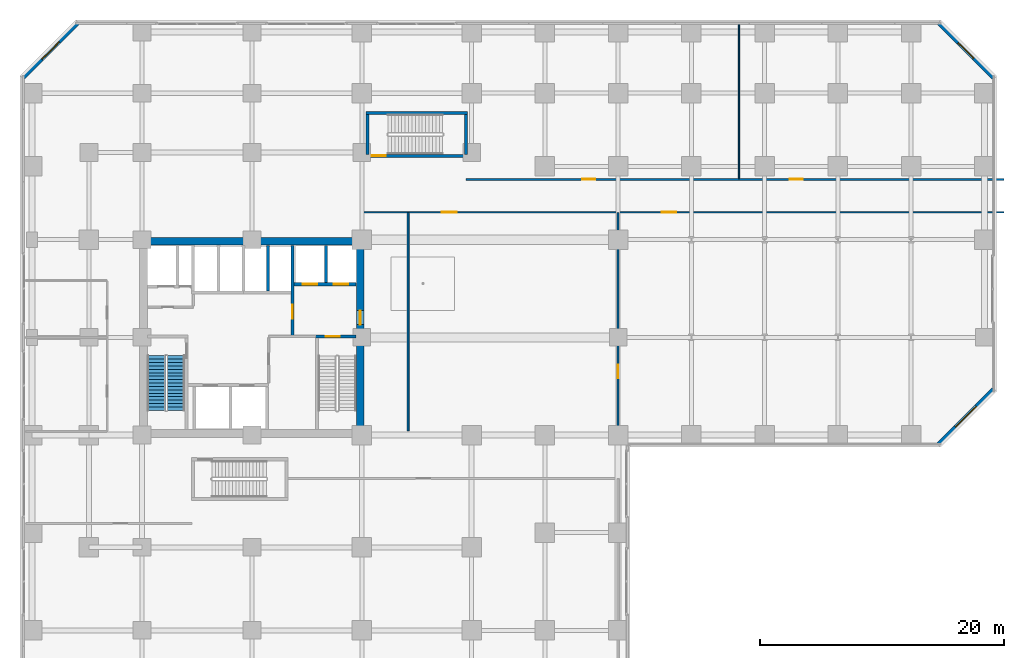
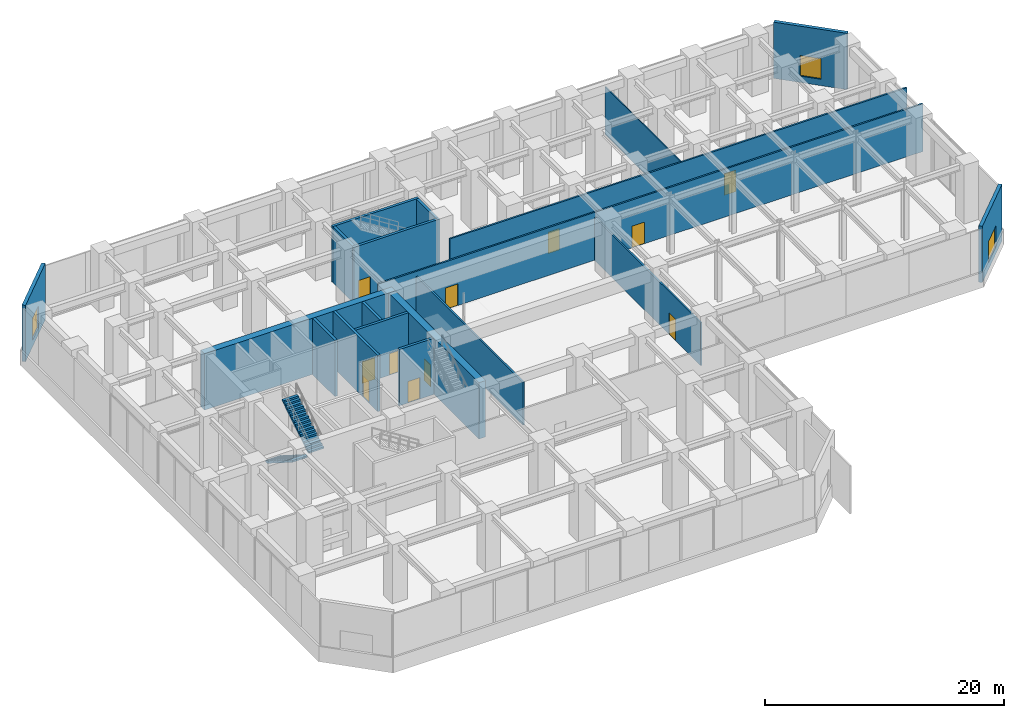
# One storey, part 25 of 34: 19 walls, 11 doors, 3 windows, 2 stair flights, 14 openings, 1 element without a shape of its own.
"""IFC4 building model written with IfcOpenShell, lengths in metres."""

from ifc_helpers import new_model, si_unit, direction, frame, frame_2d, origin, place, context, subcontext, project, spatial, polyline, rectangle, outline, extrude, source, transform, mapped, material, layer, layer_set, type_object, element, fill, aggregate, save


model = new_model("IFC4")

# Units and contexts
model_context = context("Model", 3, precision=1e-05, world=origin(), true_north=direction((0.0, 1.0)))
body_context = subcontext(model_context, "Body", "Model", "MODEL_VIEW")
ifc_project = project(units=[si_unit("LENGTHUNIT", "METRE"), si_unit("AREAUNIT", "SQUARE_METRE"), si_unit("VOLUMEUNIT", "CUBIC_METRE"), si_unit("PLANEANGLEUNIT", "RADIAN"), si_unit("MASSUNIT", "GRAM", prefix="KILO")], contexts=[model_context])

# Site, building, storey
site_placement = place(None, origin())
site = spatial("IfcSite", under=ifc_project, at=site_placement, CompositionType="ELEMENT")
building_placement = place(site_placement, origin())
building = spatial("IfcBuilding", under=site, at=building_placement, Name="Torre Montelarca", CompositionType="ELEMENT")
storey_placement = place(building_placement, frame((0.0, 0.0, 6.0)))
storey = spatial("IfcBuildingStorey", under=building, at=storey_placement, Name="L02", CompositionType="ELEMENT", Elevation=6.0)

# Wall, opening, door
ifc_material_1 = material(Name="Concrete C40/50", Category="concrete")
ifc_layer_1 = layer(ifc_material_1, 0.25, Name="Concrete C40/50", Category="concrete")
ifc_layer_set_1 = layer_set([ifc_layer_1], Name="Concrete C40/50")
wall_type_1 = type_object("IfcWallType", Name="CW-SHAFT-250", PredefinedType="SHEAR", material=ifc_layer_set_1)
wall_1_placement = place(storey_placement, frame((23.18994140625, 32.074951171875, 0.0), z_axis=(0.0, 0.0, 1.0), x_axis=(1.0, 0.0, 0.0)))
wall_1 = element("IfcWall", 1, at=wall_1_placement, inside=storey, type_object=wall_type_1, Name="L02 Core Shear Wall SH-ST2-N", PredefinedType="SHEAR", context=body_context, shape_type="SweptSolid", body=[
    extrude(rectangle(XDim=3.35009765625, YDim=0.25, at=frame_2d((1.675048828125, 0.0))), origin(), (0.0, 0.0, 1.0), 5.739990234375),
])
opening_1_placement = place(wall_1_placement, frame((0.85009765625, 0.0, 0.0)))
opening_1 = element("IfcOpeningElement", 2, at=opening_1_placement, cuts=wall_1, Name="Opening FD-ST1", PredefinedType="OPENING", context=body_context, shape_type="SweptSolid", body=[
    extrude(rectangle(XDim=1.14990234375, YDim=2.199951171875, at=frame_2d((0.574951171875, 1.10009765625))), frame((0.0, 0.135009765625, 0.0), z_axis=(0.0, -1.0, 0.0), x_axis=(1.0, 0.0, 0.0)), (0.0, 0.0, 1.0), 0.27001953125),
])
ifc_material_2 = material(Name="Galvanized steel fire door", Category="steel")
door_type_1 = type_object("IfcDoorType", Name="DR-STAIR-115", OperationType="NOTDEFINED", PredefinedType="DOOR", material=ifc_material_2)
shared_shape_1 = source(origin(), body_context, "Body", "SweptSolid", [
    extrude(rectangle(XDim=1.14990234375, YDim=2.199951171875, at=frame_2d((0.574951171875, 1.10009765625))), frame((0.0, 0.02490234375, 0.0), z_axis=(0.0, -1.0, 0.0), x_axis=(1.0, 0.0, 0.0)), (0.0, 0.0, 1.0), 0.050048828125),
])
door_1_placement = place(opening_1_placement, origin())
door_1 = element("IfcDoor", 3, at=door_1_placement, inside=storey, type_object=door_type_1, Name="L02 Exit Stair ST2 Fire Door", OperationType="SINGLE_SWING_RIGHT", OverallHeight=2.199951171875, OverallWidth=1.14990234375, PredefinedType="DOOR", context=body_context, shape_type="MappedRepresentation", body=[
    mapped(shared_shape_1, transform((0.0, 0.0, 0.0), scale=1.0)),
])
fill(opening_1, door_1)

wall_2_placement = place(storey_placement, frame((21.320068359375, 32.1201171875, 0.0), z_axis=(0.0, 0.0, 1.0), x_axis=(0.0, 1.0, 0.0)))
wall_2 = element("IfcWall", 4, at=wall_2_placement, inside=storey, type_object=wall_type_1, Name="L02 Core Shear Wall SH-FFL-W", PredefinedType="SHEAR", context=body_context, shape_type="SweptSolid", body=[
    extrude(rectangle(XDim=7.419921875, YDim=0.25, at=frame_2d((3.7099609375, 0.0))), origin(), (0.0, 0.0, 1.0), 5.739990234375),
])
opening_2_placement = place(wall_2_placement, frame((1.39990234375, 0.0, 0.0)))
opening_2 = element("IfcOpeningElement", 5, at=opening_2_placement, cuts=wall_2, Name="Opening FD-LB1", PredefinedType="OPENING", context=body_context, shape_type="SweptSolid", body=[
    extrude(rectangle(XDim=1.14990234375, YDim=2.199951171875, at=frame_2d((0.574951171875, 1.10009765625))), frame((0.0, 0.135009765625, 0.0), z_axis=(0.0, -1.0, 0.0), x_axis=(1.0, 0.0, 0.0)), (0.0, 0.0, 1.0), 0.27001953125),
])
ifc_material_3 = material(Name="Acoustic timber-veneered fire door", Category="wood")
door_type_2 = type_object("IfcDoorType", Name="DR-LOBBY-115", OperationType="NOTDEFINED", PredefinedType="DOOR", material=ifc_material_3)
shared_shape_2 = source(origin(), body_context, "Body", "SweptSolid", [
    extrude(rectangle(XDim=1.14990234375, YDim=2.199951171875, at=frame_2d((0.574951171875, 1.10009765625))), frame((0.0, 0.02490234375, 0.0), z_axis=(0.0, -1.0, 0.0), x_axis=(1.0, 0.0, 0.0)), (0.0, 0.0, 1.0), 0.050048828125),
])
door_2_placement = place(opening_2_placement, origin())
door_2 = element("IfcDoor", 6, at=door_2_placement, inside=storey, type_object=door_type_2, Name="L02 Lift Lobby to Firefighting Lobby Smoke Door", OperationType="SINGLE_SWING_LEFT", OverallHeight=2.199951171875, OverallWidth=1.14990234375, PredefinedType="DOOR", context=body_context, shape_type="MappedRepresentation", body=[
    mapped(shared_shape_2, transform((0.0, 0.0, 0.0), scale=1.0)),
])
fill(opening_2, door_2)

# Wall, openings, doors
wall_3_placement = place(storey_placement, frame((21.449951171875, 36.35009765625, 0.0), z_axis=(0.0, 0.0, 1.0), x_axis=(1.0, 0.0, 0.0)))
wall_3 = element("IfcWall", 7, at=wall_3_placement, inside=storey, type_object=wall_type_1, Name="L02 Core Shear Wall SH-FF-S", PredefinedType="SHEAR", context=body_context, shape_type="SweptSolid", body=[
    extrude(rectangle(XDim=5.090087890625, YDim=0.25, at=frame_2d((2.544921875, 0.0))), origin(), (0.0, 0.0, 1.0), 5.739990234375),
])
opening_3_placement = place(wall_3_placement, frame((0.699951171875, 0.0, 0.0)))
opening_3 = element("IfcOpeningElement", 8, at=opening_3_placement, cuts=wall_3, Name="Opening LD-120", PredefinedType="OPENING", context=body_context, shape_type="SweptSolid", body=[
    extrude(rectangle(XDim=1.199951171875, YDim=2.199951171875, at=frame_2d((0.60009765625, 1.10009765625))), frame((0.0, 0.135009765625, 0.0), z_axis=(0.0, -1.0, 0.0), x_axis=(1.0, 0.0, 0.0)), (0.0, 0.0, 1.0), 0.27001953125),
])
opening_4_placement = place(wall_3_placement, frame((3.25, 0.0, 0.0)))
opening_4 = element("IfcOpeningElement", 9, at=opening_4_placement, cuts=wall_3, Name="Opening LD-120", PredefinedType="OPENING", context=body_context, shape_type="SweptSolid", body=[
    extrude(rectangle(XDim=1.199951171875, YDim=2.199951171875, at=frame_2d((0.60009765625, 1.10009765625))), frame((0.0, 0.135009765625, 0.0), z_axis=(0.0, -1.0, 0.0), x_axis=(1.0, 0.0, 0.0)), (0.0, 0.0, 1.0), 0.27001953125),
])
ifc_material_4 = material(Name="Brushed stainless steel AISI 316", Category="steel")
door_type_3 = type_object("IfcDoorType", Name="DR-LIFT-120", OperationType="SLIDING_TO_RIGHT", PredefinedType="DOOR", material=ifc_material_4)
shared_shape_3 = source(origin(), body_context, "Body", "SweptSolid", [
    extrude(rectangle(XDim=1.199951171875, YDim=2.199951171875, at=frame_2d((0.60009765625, 1.10009765625))), frame((0.0, 0.02490234375, 0.0), z_axis=(0.0, -1.0, 0.0), x_axis=(1.0, 0.0, 0.0)), (0.0, 0.0, 1.0), 0.050048828125),
])
door_3_placement = place(opening_3_placement, origin())
door_3 = element("IfcDoor", 10, at=door_3_placement, inside=storey, type_object=door_type_3, Name="L02 Lift Landing Sliding Door FF-1", OperationType="SLIDING_TO_LEFT", OverallHeight=2.199951171875, OverallWidth=1.199951171875, PredefinedType="DOOR", context=body_context, shape_type="MappedRepresentation", body=[
    mapped(shared_shape_3, transform((0.0, 0.0, 0.0), scale=1.0)),
])
fill(opening_3, door_3)
door_4_placement = place(opening_4_placement, origin())
door_4 = element("IfcDoor", 11, at=door_4_placement, inside=storey, type_object=door_type_3, Name="L02 Lift Landing Sliding Door FF-2", OperationType="SLIDING_TO_RIGHT", OverallHeight=2.199951171875, OverallWidth=1.199951171875, PredefinedType="DOOR", context=body_context, shape_type="MappedRepresentation", body=[
    mapped(shared_shape_3, transform((0.0, 0.0, 0.0), scale=1.0)),
])
fill(opening_4, door_4)

# Walls
wall_4_placement = place(storey_placement, frame((24.080078125, 36.47998046875, 0.0), z_axis=(0.0, 0.0, 1.0), x_axis=(0.0, 1.0, 0.0)))
element("IfcWall", 12, at=wall_4_placement, inside=storey, type_object=wall_type_1, Name="L02 Core Shear Wall SH-FF-M", PredefinedType="SHEAR", context=body_context, shape_type="SweptSolid", body=[
    extrude(rectangle(XDim=3.06005859375, YDim=0.25, at=frame_2d((1.530029296875, 0.0))), origin(), (0.0, 0.0, 1.0), 5.739990234375),
])
wall_5_placement = place(storey_placement, frame((19.320068359375, 35.81005859375, 0.0), z_axis=(0.0, 0.0, 1.0), x_axis=(0.0, 1.0, 0.0)))
element("IfcWall", 13, at=wall_5_placement, inside=storey, type_object=wall_type_1, Name="L02 Core Shear Wall SH-PLH-M", PredefinedType="SHEAR", context=body_context, shape_type="SweptSolid", body=[
    extrude(rectangle(XDim=3.72998046875, YDim=0.25, at=frame_2d((1.864990234375, 0.0))), origin(), (0.0, 0.0, 1.0), 5.739990234375),
])
for number, where, z_axis, x_axis, name in (
    (14, (27.47509765625, 47.0, 0.0), (0.0, 0.0, 1.0), (0.0, 1.0, 0.0), "L02 Core Shear Wall SH-ST4-W"),
    (15, (35.52490234375, 47.0, 0.0), (0.0, 0.0, 1.0), (0.0, 1.0, 0.0), "L02 Core Shear Wall SH-ST4-E"),
):
    element("IfcWall", number, at=place(storey_placement, frame(where, z_axis=z_axis, x_axis=x_axis)), inside=storey, type_object=wall_type_1, Name=name, PredefinedType="SHEAR", context=body_context, shape_type="SweptSolid", body=[
        extrude(rectangle(XDim=3.25, YDim=0.25, at=frame_2d((1.625, 0.0))), origin(), (0.0, 0.0, 1.0), 5.739990234375),
    ])

# Wall, opening, door
wall_6_placement = place(storey_placement, frame((27.35009765625, 46.875, 0.0), z_axis=(0.0, 0.0, 1.0), x_axis=(1.0, 0.0, 0.0)))
wall_6 = element("IfcWall", 16, at=wall_6_placement, inside=storey, type_object=wall_type_1, Name="L02 Core Shear Wall SH-ST4-S", PredefinedType="SHEAR", context=body_context, shape_type="SweptSolid", body=[
    extrude(rectangle(XDim=8.2998046875, YDim=0.25, at=frame_2d((4.14990234375, 0.0))), origin(), (0.0, 0.0, 1.0), 5.739990234375),
])
opening_5_placement = place(wall_6_placement, frame((0.449951171875, 0.0, 0.0)))
opening_5 = element("IfcOpeningElement", 17, at=opening_5_placement, cuts=wall_6, Name="Opening FD-LB1", PredefinedType="OPENING", context=body_context, shape_type="SweptSolid", body=[
    extrude(rectangle(XDim=1.14990234375, YDim=2.199951171875, at=frame_2d((0.574951171875, 1.10009765625))), frame((0.0, 0.135009765625, 0.0), z_axis=(0.0, -1.0, 0.0), x_axis=(1.0, 0.0, 0.0)), (0.0, 0.0, 1.0), 0.27001953125),
])
door_5_placement = place(opening_5_placement, origin())
door_5 = element("IfcDoor", 18, at=door_5_placement, inside=storey, type_object=door_type_2, Name="L02 Podium Feature Stair ST4 Door", OperationType="SINGLE_SWING_RIGHT", OverallHeight=2.199951171875, OverallWidth=1.14990234375, PredefinedType="DOOR", context=body_context, shape_type="MappedRepresentation", body=[
    mapped(shared_shape_2, transform((0.0, 0.0, 0.0), scale=1.0)),
])
fill(opening_5, door_5)

# Wall
wall_7_placement = place(storey_placement, frame((27.35009765625, 50.375, 0.0), z_axis=(0.0, 0.0, 1.0), x_axis=(1.0, 0.0, 0.0)))
element("IfcWall", 19, at=wall_7_placement, inside=storey, type_object=wall_type_1, Name="L02 Core Shear Wall SH-ST4-N", PredefinedType="SHEAR", context=body_context, shape_type="SweptSolid", body=[
    extrude(rectangle(XDim=8.2998046875, YDim=0.25, at=frame_2d((4.14990234375, 0.0))), origin(), (0.0, 0.0, 1.0), 5.739990234375),
])

# Wall, opening, door
ifc_material_5 = material(Name="Concrete C70/85", Category="concrete")
ifc_layer_2 = layer(ifc_material_5, 0.64990234375, Name="Concrete C70/85", Category="concrete")
ifc_layer_set_2 = layer_set([ifc_layer_2], Name="Concrete C70/85")
wall_type_2 = type_object("IfcWallType", Name="CW-SHEAR-650", PredefinedType="SHEAR", material=ifc_layer_set_2)
wall_8_placement = place(storey_placement, frame((26.875, 24.449951171875, 0.0), z_axis=(0.0, 0.0, 1.0), x_axis=(0.0, 1.0, 0.0)))
wall_8 = element("IfcWall", 20, at=wall_8_placement, inside=storey, type_object=wall_type_2, Name="L02 Core Shear Wall CW-E", PredefinedType="SHEAR", context=body_context, shape_type="SweptSolid", body=[
    extrude(rectangle(XDim=15.10009765625, YDim=0.64990234375, at=frame_2d((7.550048828125, 0.0))), origin(), (0.0, 0.0, 1.0), 5.739990234375),
])
opening_6_placement = place(wall_8_placement, frame((8.60009765625, 0.0, 0.0)))
opening_6 = element("IfcOpeningElement", 21, at=opening_6_placement, cuts=wall_8, Name="Opening FD-LB1", PredefinedType="OPENING", context=body_context, shape_type="SweptSolid", body=[
    extrude(rectangle(XDim=1.14990234375, YDim=2.199951171875, at=frame_2d((0.574951171875, 1.10009765625))), frame((0.0, 0.3349609375, 0.0), z_axis=(0.0, -1.0, 0.0), x_axis=(1.0, 0.0, 0.0)), (0.0, 0.0, 1.0), 0.669921875),
])
door_6_placement = place(opening_6_placement, origin())
door_6 = element("IfcDoor", 22, at=door_6_placement, inside=storey, type_object=door_type_2, Name="L02 Firefighting Lift Lobby Corridor Fire Door", OperationType="SINGLE_SWING_RIGHT", OverallHeight=2.199951171875, OverallWidth=1.14990234375, PredefinedType="DOOR", context=body_context, shape_type="MappedRepresentation", body=[
    mapped(shared_shape_2, transform((0.0, 0.0, 0.0), scale=1.0)),
])
fill(opening_6, door_6)

# Wall
wall_9_placement = place(storey_placement, frame((8.800048828125, 39.875, 0.0), z_axis=(0.0, 0.0, 1.0), x_axis=(1.0, 0.0, 0.0)))
element("IfcWall", 23, at=wall_9_placement, inside=storey, type_object=wall_type_2, Name="L02 Core Shear Wall CW-N1", PredefinedType="SHEAR", context=body_context, shape_type="SweptSolid", body=[
    extrude(rectangle(XDim=18.39990234375, YDim=0.64990234375, at=frame_2d((9.199951171875, 0.0))), origin(), (0.0, 0.0, 1.0), 5.739990234375),
])

# Wall, opening, window
ifc_material_6 = material(Name="Precast concrete C45/55", Category="concrete")
ifc_layer_3 = layer(ifc_material_6, 0.320068359375, Name="Precast concrete C45/55", Category="concrete")
ifc_layer_set_3 = layer_set([ifc_layer_3], Name="Precast concrete C45/55")
wall_type_3 = type_object("IfcWallType", Name="EW-CONC-320", PredefinedType="SOLIDWALL", material=ifc_layer_set_3)
wall_10_placement = place(storey_placement, frame((74.244384765625, 23.255615234375, 0.0), z_axis=(0.0, 0.0, 1.0), x_axis=(0.707106781187, 0.707106781187, 0.0)))
wall_10 = element("IfcWall", 24, at=wall_10_placement, inside=storey, type_object=wall_type_3, Name="L02 Podium Precast Concrete Wall E05", PredefinedType="SOLIDWALL", context=body_context, shape_type="SweptSolid", body=[
    extrude(rectangle(XDim=6.364013671875, YDim=0.320068359375, at=frame_2d((3.18212890625, 0.0))), origin(), (0.0, 0.0, 1.0), 5.739990234375),
])
opening_7_placement = place(wall_10_placement, frame((1.98193359375, 0.0, 0.64990234375)))
opening_7 = element("IfcOpeningElement", 25, at=opening_7_placement, cuts=wall_10, Name="Opening W-04", PredefinedType="OPENING", context=body_context, shape_type="SweptSolid", body=[
    extrude(rectangle(XDim=2.39990234375, YDim=2.199951171875, at=frame_2d((1.199951171875, 1.10009765625))), frame((0.0, 0.169921875, 0.0), z_axis=(0.0, -1.0, 0.0), x_axis=(1.0, 0.0, 0.0)), (0.0, 0.0, 1.0), 0.340087890625),
])
ifc_material_7 = material(Name="Insulated low-E laminated glass in aluminium frame", Category="aluminium")
window_type_1 = type_object("IfcWindowType", Name="WIN-W04", PartitioningType="DOUBLE_PANEL_VERTICAL", PredefinedType="WINDOW", material=ifc_material_7)
shared_shape_4 = source(origin(), body_context, "Body", "SweptSolid", [
    extrude(rectangle(XDim=2.39990234375, YDim=2.199951171875, at=frame_2d((1.199951171875, 1.10009765625))), frame((0.0, 0.030029296875, 0.0), z_axis=(0.0, -1.0, 0.0), x_axis=(1.0, 0.0, 0.0)), (0.0, 0.0, 1.0), 0.06005859375),
])
window_1_placement = place(opening_7_placement, origin())
window_1 = element("IfcWindow", 26, at=window_1_placement, inside=storey, type_object=window_type_1, Name="L02 Podium Chamfer Feature Window E05", OverallHeight=2.199951171875, OverallWidth=2.39990234375, PartitioningType="DOUBLE_PANEL_VERTICAL", PredefinedType="WINDOW", context=body_context, shape_type="MappedRepresentation", body=[
    mapped(shared_shape_4, transform((0.0, 0.0, 0.0), scale=1.0)),
])
fill(opening_7, window_1)

wall_11_placement = place(storey_placement, frame((78.744384765625, 53.244384765625, 0.0), z_axis=(0.0, 0.0, 1.0), x_axis=(-0.707106781187, 0.707106781187, 0.0)))
wall_11 = element("IfcWall", 27, at=wall_11_placement, inside=storey, type_object=wall_type_3, Name="L02 Podium Precast Concrete Wall E07", PredefinedType="SOLIDWALL", context=body_context, shape_type="SweptSolid", body=[
    extrude(rectangle(XDim=6.364013671875, YDim=0.320068359375, at=frame_2d((3.18212890625, 0.0))), origin(), (0.0, 0.0, 1.0), 5.739990234375),
])
opening_8_placement = place(wall_11_placement, frame((2.281982421875, 0.0, 0.64990234375)))
opening_8 = element("IfcOpeningElement", 28, at=opening_8_placement, cuts=wall_11, Name="Opening W-06", PredefinedType="OPENING", context=body_context, shape_type="SweptSolid", body=[
    extrude(rectangle(XDim=1.800048828125, YDim=2.10009765625, at=frame_2d((0.89990234375, 1.050048828125))), frame((0.0, 0.169921875, 0.0), z_axis=(0.0, -1.0, 0.0), x_axis=(1.0, 0.0, 0.0)), (0.0, 0.0, 1.0), 0.340087890625),
])
window_type_2 = type_object("IfcWindowType", Name="WIN-W06", PartitioningType="SINGLE_PANEL", PredefinedType="WINDOW", material=ifc_material_7)
shared_shape_5 = source(origin(), body_context, "Body", "SweptSolid", [
    extrude(rectangle(XDim=1.800048828125, YDim=2.10009765625, at=frame_2d((0.89990234375, 1.050048828125))), frame((0.0, 0.030029296875, 0.0), z_axis=(0.0, -1.0, 0.0), x_axis=(1.0, 0.0, 0.0)), (0.0, 0.0, 1.0), 0.06005859375),
])
window_2_placement = place(opening_8_placement, origin())
window_2 = element("IfcWindow", 29, at=window_2_placement, inside=storey, type_object=window_type_2, Name="L02 Podium Chamfer Feature Window E07", OverallHeight=2.10009765625, OverallWidth=1.800048828125, PartitioningType="SINGLE_PANEL", PredefinedType="WINDOW", context=body_context, shape_type="MappedRepresentation", body=[
    mapped(shared_shape_5, transform((0.0, 0.0, 0.0), scale=1.0)),
])
fill(opening_8, window_2)

wall_12_placement = place(storey_placement, frame((3.755615234375, 57.744384765625, 0.0), z_axis=(0.0, 0.0, 1.0), x_axis=(-0.707106781187, -0.707106781187, 0.0)))
wall_12 = element("IfcWall", 30, at=wall_12_placement, inside=storey, type_object=wall_type_3, Name="L02 Podium Precast Concrete Wall E09", PredefinedType="SOLIDWALL", context=body_context, shape_type="SweptSolid", body=[
    extrude(rectangle(XDim=6.364013671875, YDim=0.320068359375, at=frame_2d((3.18212890625, 0.0))), origin(), (0.0, 0.0, 1.0), 5.739990234375),
])
opening_9_placement = place(wall_12_placement, frame((2.181884765625, 0.0, 0.64990234375)))
opening_9 = element("IfcOpeningElement", 31, at=opening_9_placement, cuts=wall_12, Name="Opening W-08", PredefinedType="OPENING", context=body_context, shape_type="SweptSolid", body=[
    extrude(rectangle(XDim=2.0, YDim=2.25, at=frame_2d((1.0, 1.125))), frame((0.0, 0.169921875, 0.0), z_axis=(0.0, -1.0, 0.0), x_axis=(1.0, 0.0, 0.0)), (0.0, 0.0, 1.0), 0.340087890625),
])
window_type_3 = type_object("IfcWindowType", Name="WIN-W08", PartitioningType="DOUBLE_PANEL_HORIZONTAL", PredefinedType="WINDOW", material=ifc_material_7)
shared_shape_6 = source(origin(), body_context, "Body", "SweptSolid", [
    extrude(rectangle(XDim=2.0, YDim=2.25, at=frame_2d((1.0, 1.125))), frame((0.0, 0.030029296875, 0.0), z_axis=(0.0, -1.0, 0.0), x_axis=(1.0, 0.0, 0.0)), (0.0, 0.0, 1.0), 0.06005859375),
])
window_3_placement = place(opening_9_placement, origin())
window_3 = element("IfcWindow", 32, at=window_3_placement, inside=storey, type_object=window_type_3, Name="L02 Podium Chamfer Feature Window E09", OverallHeight=2.25, OverallWidth=2.0, PartitioningType="DOUBLE_PANEL_HORIZONTAL", PredefinedType="WINDOW", context=body_context, shape_type="MappedRepresentation", body=[
    mapped(shared_shape_6, transform((0.0, 0.0, 0.0), scale=1.0)),
])
fill(opening_9, window_3)

# Wall
ifc_material_8 = material(Name="Gypsum plasterboard on steel stud", Category="steel")
ifc_layer_4 = layer(ifc_material_8, 0.159912109375, Name="Gypsum plasterboard on steel stud", Category="steel")
ifc_layer_set_4 = layer_set([ifc_layer_4], Name="Gypsum plasterboard on steel stud")
wall_type_4 = type_object("IfcWallType", Name="PW-FIRE-160", PredefinedType="PARTITIONING", material=ifc_layer_set_4)
wall_13_placement = place(storey_placement, frame((30.800048828125, 24.340087890625, 0.0), z_axis=(0.0, 0.0, 1.0), x_axis=(0.0, 1.0, 0.0)))
element("IfcWall", 33, at=wall_13_placement, inside=storey, type_object=wall_type_4, Name="L02 Interior Partition W-L02-CNW", PredefinedType="PARTITIONING", context=body_context, shape_type="SweptSolid", body=[
    extrude(rectangle(XDim=17.869873046875, YDim=0.159912109375, at=frame_2d((8.93505859375, 0.0))), origin(), (0.0, 0.0, 1.0), 4.375),
])

# Wall, openings, doors
wall_14_placement = place(storey_placement, frame((27.06005859375, 42.25, 0.0), z_axis=(0.0, 0.0, 1.0), x_axis=(1.0, 0.0, 0.0)))
wall_14 = element("IfcWall", 34, at=wall_14_placement, inside=storey, type_object=wall_type_4, Name="L02 Interior Partition W-L02-CN1", PredefinedType="PARTITIONING", context=body_context, shape_type="SweptSolid", body=[
    extrude(rectangle(XDim=52.550048828125, YDim=0.159912109375, at=frame_2d((26.27490234375, 0.0))), origin(), (0.0, 0.0, 1.0), 4.875),
])
opening_10_placement = place(wall_14_placement, frame((6.5, 0.0, 0.0)))
opening_10 = element("IfcOpeningElement", 35, at=opening_10_placement, cuts=wall_14, Name="Opening FD-120", PredefinedType="OPENING", context=body_context, shape_type="SweptSolid", body=[
    extrude(rectangle(XDim=1.199951171875, YDim=2.199951171875, at=frame_2d((0.60009765625, 1.10009765625))), frame((0.0, 0.08984375, 0.0), z_axis=(0.0, -1.0, 0.0), x_axis=(1.0, 0.0, 0.0)), (0.0, 0.0, 1.0), 0.179931640625),
])
opening_11_placement = place(wall_14_placement, frame((24.5, 0.0, 0.0)))
opening_11 = element("IfcOpeningElement", 36, at=opening_11_placement, cuts=wall_14, Name="Opening FD-120", PredefinedType="OPENING", context=body_context, shape_type="SweptSolid", body=[
    extrude(rectangle(XDim=1.199951171875, YDim=2.199951171875, at=frame_2d((0.60009765625, 1.10009765625))), frame((0.0, 0.08984375, 0.0), z_axis=(0.0, -1.0, 0.0), x_axis=(1.0, 0.0, 0.0)), (0.0, 0.0, 1.0), 0.179931640625),
])
door_type_4 = type_object("IfcDoorType", Name="DR-FIRE-120", OperationType="NOTDEFINED", PredefinedType="DOOR", material=ifc_material_2)
shared_shape_7 = source(origin(), body_context, "Body", "SweptSolid", [
    extrude(rectangle(XDim=1.199951171875, YDim=2.199951171875, at=frame_2d((0.60009765625, 1.10009765625))), frame((0.0, 0.02490234375, 0.0), z_axis=(0.0, -1.0, 0.0), x_axis=(1.0, 0.0, 0.0)), (0.0, 0.0, 1.0), 0.050048828125),
])
door_7_placement = place(opening_10_placement, origin())
door_7 = element("IfcDoor", 37, at=door_7_placement, inside=storey, type_object=door_type_4, Name="L02 Interior Door 07", OperationType="SINGLE_SWING_LEFT", OverallHeight=2.199951171875, OverallWidth=1.199951171875, PredefinedType="DOOR", context=body_context, shape_type="MappedRepresentation", body=[
    mapped(shared_shape_7, transform((0.0, 0.0, 0.0), scale=1.0)),
])
fill(opening_10, door_7)
door_8_placement = place(opening_11_placement, origin())
door_8 = element("IfcDoor", 38, at=door_8_placement, inside=storey, type_object=door_type_4, Name="L02 Interior Door 08", OperationType="SINGLE_SWING_RIGHT", OverallHeight=2.199951171875, OverallWidth=1.199951171875, PredefinedType="DOOR", context=body_context, shape_type="MappedRepresentation", body=[
    mapped(shared_shape_7, transform((0.0, 0.0, 0.0), scale=1.0)),
])
fill(opening_11, door_8)

wall_15_placement = place(storey_placement, frame((35.5400390625, 44.949951171875, 0.0), z_axis=(0.0, 0.0, 1.0), x_axis=(1.0, 0.0, 0.0)))
wall_15 = element("IfcWall", 39, at=wall_15_placement, inside=storey, type_object=wall_type_4, Name="L02 Interior Partition W-L02-CN2", PredefinedType="PARTITIONING", context=body_context, shape_type="SweptSolid", body=[
    extrude(rectangle(XDim=44.070068359375, YDim=0.159912109375, at=frame_2d((22.03515625, 0.0))), origin(), (0.0, 0.0, 1.0), 4.875),
])
opening_12_placement = place(wall_15_placement, frame((9.5, 0.0, 0.0)))
opening_12 = element("IfcOpeningElement", 40, at=opening_12_placement, cuts=wall_15, Name="Opening FD-110", PredefinedType="OPENING", context=body_context, shape_type="SweptSolid", body=[
    extrude(rectangle(XDim=1.10009765625, YDim=2.199951171875, at=frame_2d((0.550048828125, 1.10009765625))), frame((0.0, 0.08984375, 0.0), z_axis=(0.0, -1.0, 0.0), x_axis=(1.0, 0.0, 0.0)), (0.0, 0.0, 1.0), 0.179931640625),
])
opening_13_placement = place(wall_15_placement, frame((26.5, 0.0, 0.0)))
opening_13 = element("IfcOpeningElement", 41, at=opening_13_placement, cuts=wall_15, Name="Opening FD-110", PredefinedType="OPENING", context=body_context, shape_type="SweptSolid", body=[
    extrude(rectangle(XDim=1.10009765625, YDim=2.199951171875, at=frame_2d((0.550048828125, 1.10009765625))), frame((0.0, 0.08984375, 0.0), z_axis=(0.0, -1.0, 0.0), x_axis=(1.0, 0.0, 0.0)), (0.0, 0.0, 1.0), 0.179931640625),
])
ifc_material_9 = material(Name="Timber fire-rated suite door", Category="wood")
door_type_5 = type_object("IfcDoorType", Name="DR-FIRE-110", OperationType="NOTDEFINED", PredefinedType="DOOR", material=ifc_material_9)
shared_shape_8 = source(origin(), body_context, "Body", "SweptSolid", [
    extrude(rectangle(XDim=1.10009765625, YDim=2.199951171875, at=frame_2d((0.550048828125, 1.10009765625))), frame((0.0, 0.02490234375, 0.0), z_axis=(0.0, -1.0, 0.0), x_axis=(1.0, 0.0, 0.0)), (0.0, 0.0, 1.0), 0.050048828125),
])
door_9_placement = place(opening_12_placement, origin())
door_9 = element("IfcDoor", 42, at=door_9_placement, inside=storey, type_object=door_type_5, Name="L02 Interior Door 09", OperationType="SINGLE_SWING_RIGHT", OverallHeight=2.199951171875, OverallWidth=1.10009765625, PredefinedType="DOOR", context=body_context, shape_type="MappedRepresentation", body=[
    mapped(shared_shape_8, transform((0.0, 0.0, 0.0), scale=1.0)),
])
fill(opening_12, door_9)
door_10_placement = place(opening_13_placement, origin())
door_10 = element("IfcDoor", 43, at=door_10_placement, inside=storey, type_object=door_type_5, Name="L02 Interior Door 10", OperationType="SINGLE_SWING_LEFT", OverallHeight=2.199951171875, OverallWidth=1.10009765625, PredefinedType="DOOR", context=body_context, shape_type="MappedRepresentation", body=[
    mapped(shared_shape_8, transform((0.0, 0.0, 0.0), scale=1.0)),
])
fill(opening_13, door_10)

# Wall, opening, door
wall_16_placement = place(storey_placement, frame((48.0, 24.43994140625, 0.0), z_axis=(0.0, 0.0, 1.0), x_axis=(0.0, 1.0, 0.0)))
wall_16 = element("IfcWall", 44, at=wall_16_placement, inside=storey, type_object=wall_type_4, Name="L02 Interior Partition W-L02-HDIV", PredefinedType="PARTITIONING", context=body_context, shape_type="SweptSolid", body=[
    extrude(rectangle(XDim=17.77001953125, YDim=0.159912109375, at=frame_2d((8.885009765625, 0.0))), origin(), (0.0, 0.0, 1.0), 4.375),
])
opening_14_placement = place(wall_16_placement, frame((4.199951171875, 0.0, 0.0)))
opening_14 = element("IfcOpeningElement", 45, at=opening_14_placement, cuts=wall_16, Name="Opening FD-110", PredefinedType="OPENING", context=body_context, shape_type="SweptSolid", body=[
    extrude(rectangle(XDim=1.10009765625, YDim=2.199951171875, at=frame_2d((0.550048828125, 1.10009765625))), frame((0.0, 0.08984375, 0.0), z_axis=(0.0, -1.0, 0.0), x_axis=(1.0, 0.0, 0.0)), (0.0, 0.0, 1.0), 0.179931640625),
])
door_11_placement = place(opening_14_placement, origin())
door_11 = element("IfcDoor", 46, at=door_11_placement, inside=storey, type_object=door_type_5, Name="L02 Interior Door 11", OperationType="SINGLE_SWING_LEFT", OverallHeight=2.199951171875, OverallWidth=1.10009765625, PredefinedType="DOOR", context=body_context, shape_type="MappedRepresentation", body=[
    mapped(shared_shape_8, transform((0.0, 0.0, 0.0), scale=1.0)),
])
fill(opening_14, door_11)

# Wall
ifc_material_10 = material(Name="Acoustic laminated glass partition", Category="glass")
ifc_layer_5 = layer(ifc_material_10, 0.10009765625, Name="Acoustic laminated glass partition", Category="glass")
ifc_layer_set_5 = layer_set([ifc_layer_5], Name="Acoustic laminated glass partition")
wall_type_5 = type_object("IfcWallType", Name="PW-GLAZ-100", PredefinedType="PARTITIONING", material=ifc_layer_set_5)
wall_17_placement = place(storey_placement, frame((57.89990234375, 44.989990234375, 0.0), z_axis=(0.0, 0.0, 1.0), x_axis=(0.0, 1.0, 0.0)))
element("IfcWall", 47, at=wall_17_placement, inside=storey, type_object=wall_type_5, Name="L02 Interior Partition W-L02-NM", PredefinedType="PARTITIONING", context=body_context, shape_type="SweptSolid", body=[
    extrude(rectangle(XDim=12.6201171875, YDim=0.10009765625, at=frame_2d((6.31005859375, 0.0))), origin(), (0.0, 0.0, 1.0), 4.875),
])

# Stair, stair flights
stair_type = type_object("IfcStairType", Name="ST-CORE-ST1", PredefinedType="HALF_TURN_STAIR", material=ifc_material_1)
stair_placement = place(storey_placement, origin())
stair = element("IfcStair", 48, at=stair_placement, inside=storey, type_object=stair_type, Name="L02 Protected Exit Stair ST1", PredefinedType="HALF_TURN_STAIR")
stair_flight_type = type_object("IfcStairFlightType", Name="SFL-CORE-ST1", PredefinedType="STRAIGHT", material=ifc_material_1)
stair_flight_1_placement = place(storey_placement, frame((10.175048828125, 30.5, 0.0), z_axis=(0.0, 0.0, 1.0), x_axis=(0.0, -1.0, 0.0)))
stair_flight_1 = element("IfcStairFlight", 49, at=stair_flight_1_placement, type_object=stair_flight_type, Name="ST1 flight 1", NumberOfRisers=17, NumberOfTreads=16, PredefinedType="STRAIGHT", RiserHeight=0.176470588, TreadLength=0.28, context=body_context, shape_type="SweptSolid", body=[
    extrude(outline(polyline([(0.0, 0.0), (0.0, 0.176513671875), (0.280029296875, 0.176513671875), (0.280029296875, 0.35302734375), (0.56005859375, 0.35302734375), (0.56005859375, 0.529296875), (0.840087890625, 0.529296875), (0.840087890625, 0.705810546875), (1.1201171875, 0.705810546875), (1.1201171875, 0.88232421875), (1.39990234375, 0.88232421875), (1.39990234375, 1.058837890625), (1.679931640625, 1.058837890625), (1.679931640625, 1.2353515625), (1.9599609375, 1.2353515625), (1.9599609375, 1.411865234375), (2.239990234375, 1.411865234375), (2.239990234375, 1.588134765625), (2.52001953125, 1.588134765625), (2.52001953125, 1.7646484375), (2.800048828125, 1.7646484375), (2.800048828125, 1.941162109375), (3.080078125, 1.941162109375), (3.080078125, 2.11767578125), (3.360107421875, 2.11767578125), (3.360107421875, 2.294189453125), (3.639892578125, 2.294189453125), (3.639892578125, 2.470703125), (3.919921875, 2.470703125), (3.919921875, 2.64697265625), (4.199951171875, 2.64697265625), (4.199951171875, 2.823486328125), (4.47998046875, 2.823486328125), (4.47998046875, 3.0), (4.47998046875, 2.646240234375), (0.28125, 0.0), (0.0, 0.0)])), frame((0.0, 0.72509765625, 0.0), z_axis=(0.0, -1.0, 0.0), x_axis=(1.0, 0.0, 0.0)), (0.0, 0.0, 1.0), 1.449951171875),
])
stair_flight_2_placement = place(storey_placement, frame((11.77490234375, 26.02001953125, 3.0), z_axis=(0.0, 0.0, 1.0), x_axis=(0.0, 1.0, 0.0)))
stair_flight_2 = element("IfcStairFlight", 50, at=stair_flight_2_placement, type_object=stair_flight_type, Name="ST1 flight 2", NumberOfRisers=17, NumberOfTreads=16, PredefinedType="STRAIGHT", RiserHeight=0.176470588, TreadLength=0.28, context=body_context, shape_type="SweptSolid", body=[
    extrude(outline(polyline([(0.0, 0.0), (0.0, 0.176513671875), (0.280029296875, 0.176513671875), (0.280029296875, 0.35302734375), (0.56005859375, 0.35302734375), (0.56005859375, 0.529296875), (0.840087890625, 0.529296875), (0.840087890625, 0.705810546875), (1.1201171875, 0.705810546875), (1.1201171875, 0.88232421875), (1.39990234375, 0.88232421875), (1.39990234375, 1.058837890625), (1.679931640625, 1.058837890625), (1.679931640625, 1.2353515625), (1.9599609375, 1.2353515625), (1.9599609375, 1.411865234375), (2.239990234375, 1.411865234375), (2.239990234375, 1.588134765625), (2.52001953125, 1.588134765625), (2.52001953125, 1.7646484375), (2.800048828125, 1.7646484375), (2.800048828125, 1.941162109375), (3.080078125, 1.941162109375), (3.080078125, 2.11767578125), (3.360107421875, 2.11767578125), (3.360107421875, 2.294189453125), (3.639892578125, 2.294189453125), (3.639892578125, 2.470703125), (3.919921875, 2.470703125), (3.919921875, 2.64697265625), (4.199951171875, 2.64697265625), (4.199951171875, 2.823486328125), (4.47998046875, 2.823486328125), (4.47998046875, 3.0), (4.47998046875, 2.646240234375), (0.28125, 0.0), (0.0, 0.0)])), frame((0.0, 0.72509765625, 0.0), z_axis=(0.0, -1.0, 0.0), x_axis=(1.0, 0.0, 0.0)), (0.0, 0.0, 1.0), 1.449951171875),
])
aggregate(stair, [stair_flight_1, stair_flight_2])

save(model, "model.ifc")
